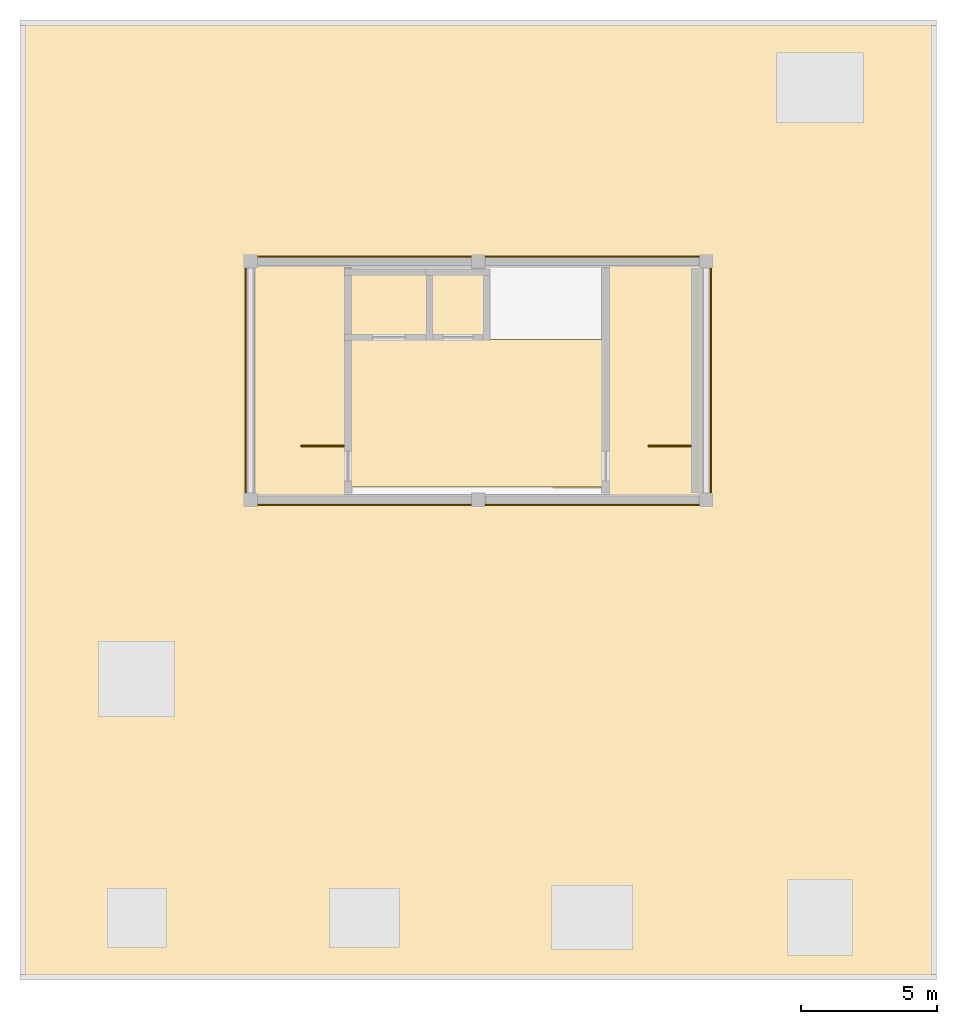
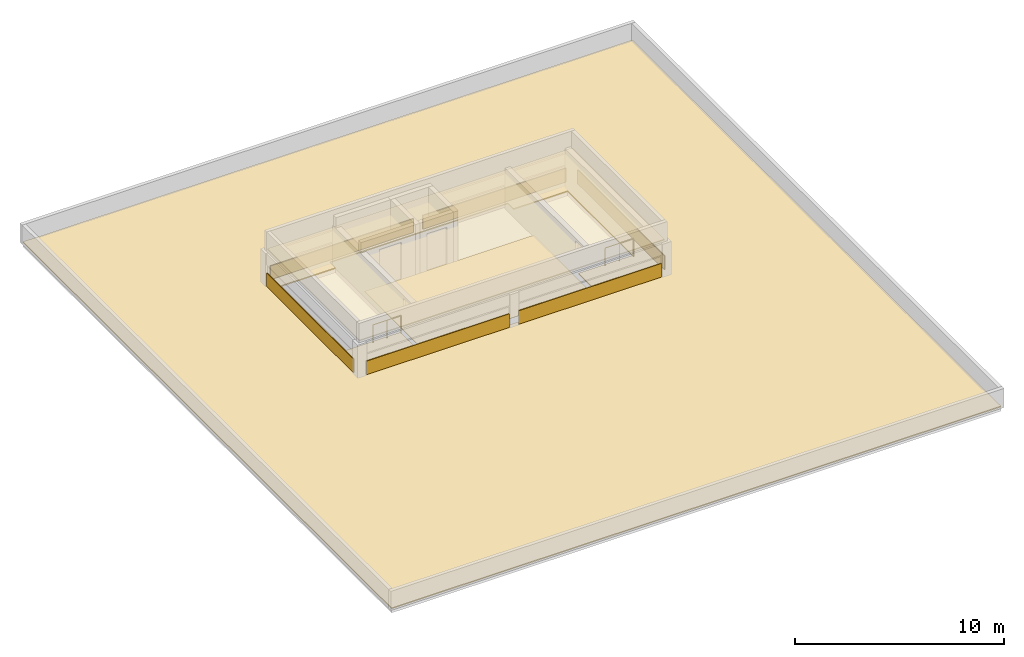
# One storey, part 2 of 2: 9 coverings, 2 railings.
"""IFC4 building model written with IfcOpenShell, lengths in metres."""

import ifcopenshell
import ifcopenshell.guid

model = None  # the IFC model being written
_history = None  # IfcOwnerHistory: only IFC2X3 demands one
_inside = {}  # id of a spatial element -> (the spatial element, [elements in it])
_under = {}  # id of a project, library or spatial element -> (it, [spatial elements below it])
_declared = {}  # id of a project -> (the project, [libraries it declares])
_typed = {}  # id of a type object -> (the type object, [elements of that type])
_made_of = {}  # id of a material, layer set ... -> (it, [elements and type objects made of it])


def new_model(schema):
    """Start an empty IFC model of exactly this schema.

    Asked for "IFC4X3", IfcOpenShell would pick the latest addendum, in which some entities
    have other attributes; the version numbers below select the first issue.
    IFC2X3 requires an IfcOwnerHistory on every rooted entity: one is made here for all.
    """
    global model, _history
    if schema == "IFC4X3":
        model = ifcopenshell.file(schema_version=(4, 3, 0, 0))
    else:
        model = ifcopenshell.file(schema=schema)
    _inside.clear()
    _under.clear()
    _declared.clear()
    _typed.clear()
    _made_of.clear()
    _history = None
    if model.schema == "IFC2X3":
        org = make("IfcOrganization", Name="unknown")
        user = make(
            "IfcPersonAndOrganization",
            ThePerson=make("IfcPerson", FamilyName="unknown"),
            TheOrganization=org,
        )
        app = make(
            "IfcApplication",
            ApplicationDeveloper=org,
            Version="unknown",
            ApplicationFullName="unknown",
            ApplicationIdentifier="unknown",
        )
        _history = make(
            "IfcOwnerHistory",
            OwningUser=user,
            OwningApplication=app,
            ChangeAction="ADDED",
            CreationDate=0,
        )
    return model


def make(cls, **values):
    """One entity of the class cls with the attributes given. An attribute that is None is left unset."""
    return model.create_entity(
        cls, **{name: value for name, value in values.items() if value is not None}
    )


def rooted(cls, **values):
    """An entity with a GlobalId (a new one), such as an element, a storey or a relation."""
    return make(cls, GlobalId=ifcopenshell.guid.new(), OwnerHistory=_history, **values)


def si_unit(unit_type, name, prefix=None):
    """IfcSIUnit, for example si_unit("LENGTHUNIT", "METRE", prefix="MILLI")."""
    return make("IfcSIUnit", UnitType=unit_type, Prefix=prefix, Name=name)


def assignment(units):
    """IfcUnitAssignment: the units of a project."""
    return None if units is None else make("IfcUnitAssignment", Units=units)


def point(xyz):
    """IfcCartesianPoint."""
    return None if xyz is None else make("IfcCartesianPoint", Coordinates=xyz)


def direction(xyz):
    """IfcDirection."""
    return None if xyz is None else make("IfcDirection", DirectionRatios=xyz)


def frame(location, z_axis=None, x_axis=None):
    """IfcAxis2Placement3D, a coordinate frame: its origin and axes. An axis left out is left unset."""
    return make(
        "IfcAxis2Placement3D",
        Location=point(location),
        Axis=direction(z_axis),
        RefDirection=direction(x_axis),
    )


def frame_2d(location, x_axis=None):
    """IfcAxis2Placement2D, a coordinate frame in the plane: its origin and x axis."""
    return make(
        "IfcAxis2Placement2D", Location=point(location), RefDirection=direction(x_axis)
    )


def origin():
    """The frame at (0, 0, 0) with its axes left unset."""
    return frame((0.0, 0.0, 0.0))


def origin_2d():
    """The frame at (0, 0) in the plane with its x axis left unset."""
    return frame_2d((0.0, 0.0))


def place(relative_to, where):
    """IfcLocalPlacement: puts the frame where relative to a parent placement (None: the world)."""
    return make(
        "IfcLocalPlacement", PlacementRelTo=relative_to, RelativePlacement=where
    )


def context(
    kind, dimensions, precision=None, world=None, true_north=None, identifier=None
):
    """IfcGeometricRepresentationContext, for example the 3D "Model" context."""
    return make(
        "IfcGeometricRepresentationContext",
        ContextIdentifier=identifier,
        ContextType=kind,
        CoordinateSpaceDimension=dimensions,
        Precision=precision,
        WorldCoordinateSystem=world,
        TrueNorth=true_north,
    )


def subcontext(parent, identifier, kind, view, scale=None):
    """IfcGeometricRepresentationSubContext, for example "Body" below "Model"."""
    return make(
        "IfcGeometricRepresentationSubContext",
        ContextIdentifier=identifier,
        ContextType=kind,
        ParentContext=parent,
        TargetScale=scale,
        TargetView=view,
    )


def project(units=None, contexts=None):
    """IfcProject with its units and contexts."""
    return rooted(
        "IfcProject",
        Name="project",
        RepresentationContexts=contexts,
        UnitsInContext=assignment(units),
    )


def spatial(cls, under=None, at=None, **own):
    """A site, building, storey or space (cls), placed at a placement, below another one or the project."""
    s = rooted(cls, ObjectPlacement=at, **own)
    if under is not None:
        _under.setdefault(under.id(), (under, []))[1].append(s)
    return s


def polyline(points):
    """IfcPolyline through the points."""
    return make("IfcPolyline", Points=[point(p) for p in points])


def profile(cls, at=None, kind="AREA", **sizes):
    """A parametric profile (cls). Its sizes go by their IFC names, for example OverallWidth=200.0."""
    return make(cls, ProfileType=kind, Position=at, **sizes)


def circle(**sizes):
    """IfcCircleProfileDef."""
    return profile("IfcCircleProfileDef", **sizes)


def outline(outer, holes=None, kind="AREA"):
    """IfcArbitraryClosedProfileDef: a profile drawn as a closed curve; with holes, ...WithVoids."""
    if holes is None:
        return make("IfcArbitraryClosedProfileDef", ProfileType=kind, OuterCurve=outer)
    return make(
        "IfcArbitraryProfileDefWithVoids",
        ProfileType=kind,
        OuterCurve=outer,
        InnerCurves=holes,
    )


def extrude(swept, where, along, depth):
    """IfcExtrudedAreaSolid: the profile swept, set in the frame where, extruded along a direction by depth."""
    return make(
        "IfcExtrudedAreaSolid",
        SweptArea=swept,
        Position=where,
        ExtrudedDirection=direction(along),
        Depth=depth,
    )


def shape(context_of_items, identifier, shape_type, items):
    """IfcShapeRepresentation: the items that make up one representation, for example the "Body"."""
    return make(
        "IfcShapeRepresentation",
        ContextOfItems=context_of_items,
        RepresentationIdentifier=identifier,
        RepresentationType=shape_type,
        Items=items,
    )


def material(Name=None, Category=None):
    """IfcMaterial."""
    return make("IfcMaterial", Name=Name, Category=Category)


def layer(
    of_material, thickness, ventilated=None, Name=None, Category=None, Priority=None
):
    """IfcMaterialLayer: one layer of a wall or slab, of a material (None: an air gap)."""
    return make(
        "IfcMaterialLayer",
        Material=of_material,
        LayerThickness=thickness,
        IsVentilated=ventilated,
        Name=Name,
        Category=Category,
        Priority=Priority,
    )


def layer_set(layers, Name=None):
    """IfcMaterialLayerSet."""
    return make("IfcMaterialLayerSet", MaterialLayers=layers, LayerSetName=Name)


def made_of(thing, what):
    """Note that an element or type object is made of a material, layer set ...; save() writes the relation."""
    if what is not None:
        _made_of.setdefault(what.id(), (what, []))[1].append(thing)
    return thing


def type_object(cls, material=None, **own):
    """A type object (cls), such as IfcWallType, which elements share."""
    return made_of(rooted(cls, **own), material)


def element(
    cls,
    number,
    at=None,
    inside=None,
    cuts=None,
    type_object=None,
    material=None,
    context=None,
    identifier="Body",
    shape_type=None,
    held_by="IfcProductDefinitionShape",
    body=None,
    shapes=None,
    **own,
):
    """One element of the class cls, such as IfcWall. Its Tag is "e" and its number.

    at: its placement. inside: the storey or other place that contains it. cuts: it is an
    opening in that element (IfcRelVoidsElement). A single representation is given by context,
    identifier, shape_type and body (its items); several are given by shapes. held_by: the class
    of the entity that holds the representations. save() writes the other relations.
    """
    e = rooted(cls, Tag="e%d" % number, ObjectPlacement=at, **own)
    if body is not None:
        shapes = [shape(context, identifier, shape_type, body)]
    if shapes is not None:
        e.Representation = make(held_by, Representations=shapes)
    if inside is not None:
        _inside.setdefault(inside.id(), (inside, []))[1].append(e)
    if cuts is not None:
        rooted(
            "IfcRelVoidsElement", RelatingBuildingElement=cuts, RelatedOpeningElement=e
        )
    if type_object is not None:
        _typed.setdefault(type_object.id(), (type_object, []))[1].append(e)
    return made_of(e, material)


def aggregate(whole, parts):
    """IfcRelAggregates: a whole, such as a stair, and the parts it consists of."""
    return rooted("IfcRelAggregates", RelatingObject=whole, RelatedObjects=parts)


def save(model, path):
    """Write the relations noted so far, then the file.

    IfcRelAggregates (storeys below a building ...), IfcRelContainedInSpatialStructure (elements
    in a storey), IfcRelDefinesByType, IfcRelAssociatesMaterial and IfcRelDeclares: one each for
    every whole, place, type object, material and project.
    """
    for whole, parts in _under.values():
        aggregate(whole, parts)
    for where, things in _inside.values():
        rooted(
            "IfcRelContainedInSpatialStructure",
            RelatedElements=things,
            RelatingStructure=where,
        )
    for kind, things in _typed.values():
        rooted("IfcRelDefinesByType", RelatedObjects=things, RelatingType=kind)
    for what, things in _made_of.values():
        rooted("IfcRelAssociatesMaterial", RelatedObjects=things, RelatingMaterial=what)
    for by, libraries in _declared.values():
        rooted("IfcRelDeclares", RelatingContext=by, RelatedDefinitions=libraries)
    model.write(path)


model = new_model("IFC4")

# Units and contexts
model_context = context("Model", 3, precision=1e-05, world=origin(), true_north=direction((0.0, 1.0)))
body_context = subcontext(model_context, "Body", "Model", "MODEL_VIEW")
ifc_project = project(units=[si_unit("LENGTHUNIT", "METRE"), si_unit("AREAUNIT", "SQUARE_METRE"), si_unit("VOLUMEUNIT", "CUBIC_METRE"), si_unit("PLANEANGLEUNIT", "RADIAN"), si_unit("MASSUNIT", "GRAM", prefix="KILO")], contexts=[model_context])

# Site, building, storey
site_placement = place(None, origin())
site = spatial("IfcSite", under=ifc_project, at=site_placement, CompositionType="ELEMENT")
building_placement = place(site_placement, origin())
building = spatial("IfcBuilding", under=site, at=building_placement, Name="Kemercrest Conservatory and Botanical Centre", CompositionType="ELEMENT")
storey_placement = place(building_placement, frame((0.0, 0.0, 68.0)))
storey = spatial("IfcBuildingStorey", under=building, at=storey_placement, Name="RF", CompositionType="ELEMENT", Elevation=68.0)

# Coverings
ifc_material_1 = material(Name="Honed limestone almasik ashlar rainscreen", Category="masonry")
ifc_layer_1 = layer(ifc_material_1, 0.0400390625)
ifc_layer_set_1 = layer_set([ifc_layer_1], Name="Honed limestone almasik ashlar rainscreen")
covering_type_1 = type_object("IfcCoveringType", Name="CV-CLD040", PredefinedType="CLADDING", material=ifc_layer_set_1)
covering_1_placement = place(storey_placement, origin())
element("IfcCovering", 1, at=covering_1_placement, inside=storey, type_object=covering_type_1, Name="Exterior stone spandrel cladding (WAL:RF:OVR-343)", PredefinedType="CLADDING", context=body_context, shape_type="SweptSolid", body=[
    extrude(outline(polyline([(151.06005859375, 104.64990234375), (151.06005859375, 104.610107421875), (158.93994140625, 104.610107421875), (158.93994140625, 104.64990234375), (151.06005859375, 104.64990234375)])), origin(), (0.0, 0.0, 1.0), 0.85009765625),
])
covering_2_placement = place(storey_placement, origin())
element("IfcCovering", 2, at=covering_2_placement, inside=storey, type_object=covering_type_1, Name="Exterior stone spandrel cladding (WAL:RF:OVR-344)", PredefinedType="CLADDING", context=body_context, shape_type="SweptSolid", body=[
    extrude(outline(polyline([(159.4599609375, 104.64990234375), (159.4599609375, 104.610107421875), (167.340087890625, 104.610107421875), (167.340087890625, 104.64990234375), (159.4599609375, 104.64990234375)])), origin(), (0.0, 0.0, 1.0), 0.85009765625),
])
covering_3_placement = place(storey_placement, origin())
element("IfcCovering", 3, at=covering_3_placement, inside=storey, type_object=covering_type_1, Name="Exterior stone spandrel cladding (WAL:RF:OVR-345)", PredefinedType="CLADDING", context=body_context, shape_type="SweptSolid", body=[
    extrude(outline(polyline([(167.75, 105.06005859375), (167.7900390625, 105.06005859375), (167.7900390625, 113.340087890625), (167.75, 113.340087890625), (167.75, 105.06005859375)])), origin(), (0.0, 0.0, 1.0), 0.85009765625),
])
covering_4_placement = place(storey_placement, origin())
element("IfcCovering", 4, at=covering_4_placement, inside=storey, type_object=covering_type_1, Name="Exterior stone spandrel cladding (WAL:RF:OVR-346)", PredefinedType="CLADDING", context=body_context, shape_type="SweptSolid", body=[
    extrude(outline(polyline([(167.340087890625, 113.75), (167.340087890625, 113.7900390625), (159.4599609375, 113.7900390625), (159.4599609375, 113.75), (167.340087890625, 113.75)])), origin(), (0.0, 0.0, 1.0), 0.85009765625),
])
covering_5_placement = place(storey_placement, origin())
element("IfcCovering", 5, at=covering_5_placement, inside=storey, type_object=covering_type_1, Name="Exterior stone spandrel cladding (WAL:RF:OVR-347)", PredefinedType="CLADDING", context=body_context, shape_type="SweptSolid", body=[
    extrude(outline(polyline([(158.93994140625, 113.75), (158.93994140625, 113.7900390625), (151.06005859375, 113.7900390625), (151.06005859375, 113.75), (158.93994140625, 113.75)])), origin(), (0.0, 0.0, 1.0), 0.85009765625),
])
covering_6_placement = place(storey_placement, origin())
element("IfcCovering", 6, at=covering_6_placement, inside=storey, type_object=covering_type_1, Name="Exterior stone spandrel cladding (WAL:RF:OVR-348)", PredefinedType="CLADDING", context=body_context, shape_type="SweptSolid", body=[
    extrude(outline(polyline([(150.64990234375, 113.340087890625), (150.610107421875, 113.340087890625), (150.610107421875, 105.06005859375), (150.64990234375, 105.06005859375), (150.64990234375, 113.340087890625)])), origin(), (0.0, 0.0, 1.0), 0.85009765625),
])
ifc_material_2 = material(Name="Polished limestone terrazzo and seamless laboratory epoxy flooring", Category="masonry")
ifc_layer_2 = layer(ifc_material_2, 0.02001953125)
ifc_layer_set_2 = layer_set([ifc_layer_2], Name="Polished limestone terrazzo and seamless laboratory epoxy flooring")
covering_type_2 = type_object("IfcCoveringType", Name="CV-FLR020", PredefinedType="FLOORING", material=ifc_layer_set_2)
covering_7_placement = place(storey_placement, origin())
element("IfcCovering", 7, at=covering_7_placement, inside=storey, type_object=covering_type_2, Name="Overrun Elevator and Stair Service Lobby floor finish", PredefinedType="FLOORING", context=body_context, shape_type="SweptSolid", body=[
    extrude(outline(polyline([(154.47998046875, 105.280029296875), (163.820068359375, 105.280029296875), (163.820068359375, 110.719970703125), (154.47998046875, 110.719970703125), (154.47998046875, 105.280029296875)])), origin(), (0.0, 0.0, 1.0), 0.02001953125),
])
ifc_material_3 = material(Name="SBS modified bitumen insulated roofing membrane", Category="roofing")
ifc_layer_3 = layer(ifc_material_3, 0.06005859375)
ifc_layer_set_3 = layer_set([ifc_layer_3], Name="SBS modified bitumen insulated roofing membrane")
covering_type_3 = type_object("IfcCoveringType", Name="CV-RFG060", PredefinedType="ROOFING", material=ifc_layer_set_3)
covering_8_placement = place(storey_placement, origin())
element("IfcCovering", 8, at=covering_8_placement, inside=storey, type_object=covering_type_3, Name="Insulated roof membrane covering (V4 Research and Herbarium Tower RF Slab)", PredefinedType="ROOFING", context=body_context, shape_type="SweptSolid", body=[
    extrude(outline(polyline([(176.0, 122.39990234375), (142.39990234375, 122.39990234375), (142.39990234375, 87.199951171875), (176.0, 87.199951171875), (176.0, 122.39990234375)]), holes=[polyline([(154.25, 106.864990234375), (151.260009765625, 106.864990234375), (151.260009765625, 113.06005859375), (154.25, 113.06005859375), (154.25, 113.60009765625), (164.050048828125, 113.60009765625), (164.050048828125, 113.06005859375), (167.0400390625, 113.06005859375), (167.0400390625, 106.864990234375), (164.050048828125, 106.864990234375), (164.050048828125, 104.800048828125), (154.25, 104.800048828125), (154.25, 106.864990234375)])]), origin(), (0.0, 0.0, 1.0), 0.06005859375),
])
covering_9_placement = place(storey_placement, frame((0.0, 0.0, 1.989990234375)))
element("IfcCovering", 9, at=covering_9_placement, inside=storey, type_object=covering_type_3, Name="Insulated roof membrane covering (V4 Tower Lift and Stair Overrun Roof Slab)", PredefinedType="ROOFING", context=body_context, shape_type="SweptSolid", body=[
    extrude(outline(polyline([(150.800048828125, 104.800048828125), (167.60009765625, 104.800048828125), (167.60009765625, 113.60009765625), (150.800048828125, 113.60009765625), (150.800048828125, 104.800048828125)])), origin(), (0.0, 0.0, 1.0), 0.06005859375),
])

# Railings
ifc_material_4 = material(Name="Painted galvanized steel tubular stair guardrail", Category="steel")
railing_type = type_object("IfcRailingType", Name="GR-STR110", PredefinedType="GUARDRAIL", material=ifc_material_4)
for number, where, name in (
    (10, (154.239990234375, 106.7900390625, 0.0), "RF ST-V4A top well guard 1"),
    (11, (167.0400390625, 106.7900390625, 0.0), "RF ST-V4B top well guard 1"),
):
    element("IfcRailing", number, at=place(storey_placement, frame(where)), inside=storey, type_object=railing_type, Name=name, PredefinedType="GUARDRAIL", context=body_context, shape_type="SweptSolid", body=[
        extrude(circle(Radius=0.02392578125, at=origin_2d()), frame((0.0, 0.0, 1.076171875), z_axis=(-1.0, 0.0, 0.0), x_axis=(0.0, -1.0, 0.0)), (0.0, 0.0, 1.0), 1.56005859375),
        extrude(circle(Radius=0.02099609375, at=origin_2d()), origin(), (0.0, 0.0, 1.0), 1.052001953125),
        extrude(circle(Radius=0.02099609375, at=origin_2d()), frame((-0.780029296875, 0.0, 0.0)), (0.0, 0.0, 1.0), 1.052001953125),
        extrude(circle(Radius=0.02099609375, at=origin_2d()), frame((-1.56005859375, 0.0, 0.0)), (0.0, 0.0, 1.0), 1.052001953125),
    ])

save(model, "model.ifc")
